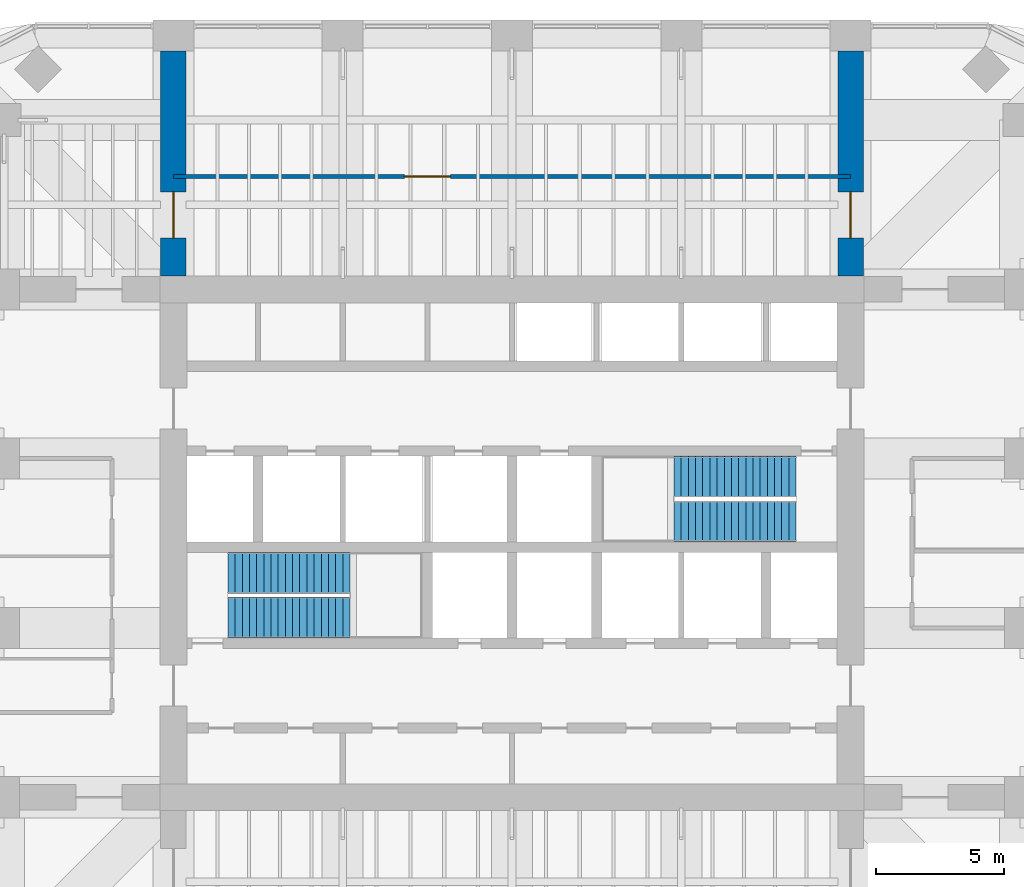
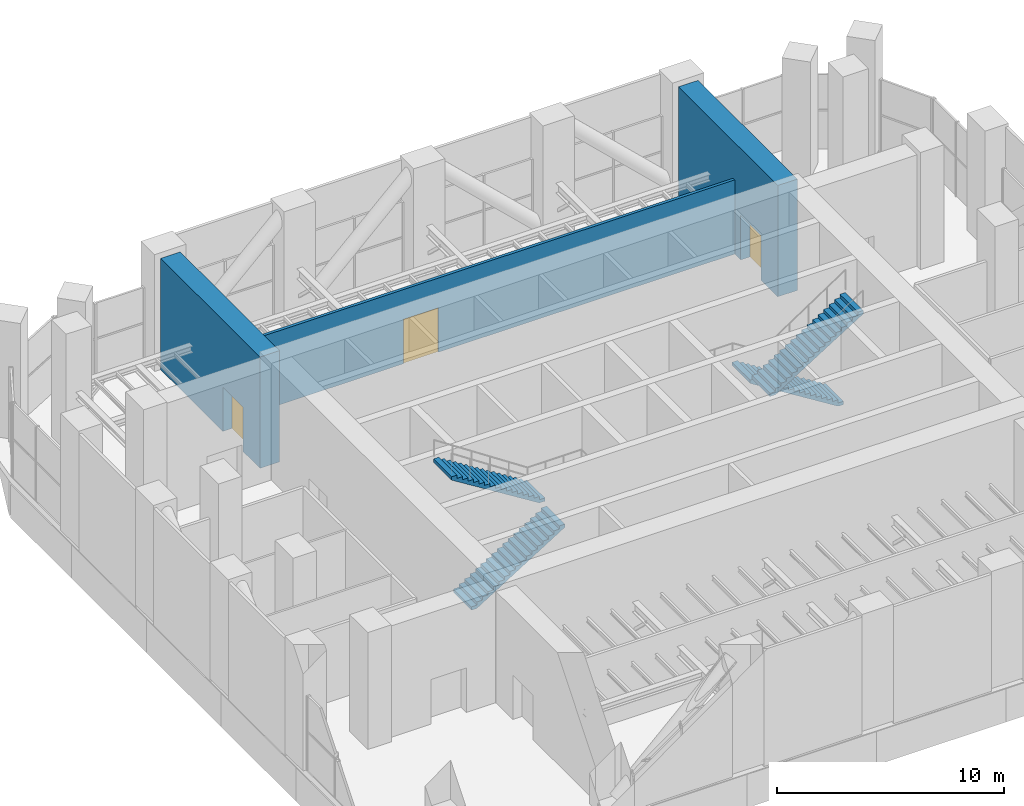
# One storey, part 13 of 15: 4 stair flights, 3 doors, 3 walls, 3 openings, 2 elements without a shape of their own.
"""IFC4 building model written with IfcOpenShell, lengths in metres."""

from ifc_helpers import new_model, si_unit, direction, frame, frame_2d, origin, place, context, subcontext, project, spatial, polyline, rectangle, outline, extrude, material, layer, layer_set, type_object, element, fill, aggregate, save


model = new_model("IFC4")

# Units and contexts
model_context = context("Model", 3, precision=1e-05, world=origin(), true_north=direction((0.0, 1.0)))
body_context = subcontext(model_context, "Body", "Model", "MODEL_VIEW")
ifc_project = project(units=[si_unit("LENGTHUNIT", "METRE"), si_unit("AREAUNIT", "SQUARE_METRE"), si_unit("VOLUMEUNIT", "CUBIC_METRE"), si_unit("PLANEANGLEUNIT", "RADIAN"), si_unit("MASSUNIT", "GRAM", prefix="KILO")], contexts=[model_context])

# Site, building, storey
site_placement = place(None, origin())
site = spatial("IfcSite", under=ifc_project, at=site_placement, CompositionType="ELEMENT")
building_placement = place(site_placement, origin())
building = spatial("IfcBuilding", under=site, at=building_placement, Name="Cobogo Forest Laboratory Tower", CompositionType="ELEMENT")
storey_placement = place(building_placement, frame((0.0, 0.0, 222.89990234375)))
storey = spatial("IfcBuildingStorey", under=building, at=storey_placement, Name="L51", CompositionType="ELEMENT", Elevation=222.89990234375)

# Wall, opening, door
ifc_material_1 = material(Name="Concrete HA-50 (C50/60)", Category="concrete")
ifc_layer_1 = layer(ifc_material_1, 1.0)
ifc_layer_set_1 = layer_set([ifc_layer_1], Name="Outrigger wall 1000")
wall_type_1 = type_object("IfcWallType", Name="Outrigger wall 1000", PredefinedType="SHEAR", material=ifc_layer_set_1)
wall_1_placement = place(storey_placement, frame((13.199951171875, 33.52490234375, 0.0), z_axis=(0.0, 0.0, 1.0), x_axis=(0.0, 1.0, 0.0)))
wall_1 = element("IfcWall", 1, at=wall_1_placement, inside=storey, type_object=wall_type_1, Name="Outrigger wall OR-N3 L51", PredefinedType="SHEAR", context=body_context, shape_type="SweptSolid", body=[
    extrude(rectangle(XDim=8.775146484375, YDim=1.0, at=frame_2d((4.3876953125, 0.0))), origin(), (0.0, 0.0, 1.0), 6.0),
])
opening_1_placement = place(wall_1_placement, frame((1.47509765625, 0.0, 0.0)))
opening_1 = element("IfcOpeningElement", 2, at=opening_1_placement, cuts=wall_1, Name="Opening L51-D29", PredefinedType="OPENING", context=body_context, shape_type="SweptSolid", body=[
    extrude(rectangle(XDim=1.800048828125, YDim=2.39990234375, at=frame_2d((0.89990234375, 1.199951171875))), frame((0.0, 0.510009765625, 0.0), z_axis=(0.0, -1.0, 0.0), x_axis=(1.0, 0.0, 0.0)), (0.0, 0.0, 1.0), 1.02001953125),
])
ifc_material_2 = material(Name="Steel fire door", Category="steel")
door_type = type_object("IfcDoorType", Name="PD1 plant door pair 1800 EI2 60", OperationType="DOUBLE_DOOR_SINGLE_SWING", PredefinedType="DOOR", material=ifc_material_2)
door_1_placement = place(opening_1_placement, origin())
door_1 = element("IfcDoor", 3, at=door_1_placement, inside=storey, type_object=door_type, Name="Door L51-OR-N3", OperationType="DOUBLE_DOOR_SINGLE_SWING", OverallHeight=2.39990234375, OverallWidth=1.800048828125, PredefinedType="DOOR", context=body_context, shape_type="SweptSolid", body=[
    extrude(rectangle(XDim=1.800048828125, YDim=2.39990234375, at=frame_2d((0.89990234375, 1.199951171875))), frame((0.0, 0.02490234375, 0.0), z_axis=(0.0, -1.0, 0.0), x_axis=(1.0, 0.0, 0.0)), (0.0, 0.0, 1.0), 0.050048828125),
])
fill(opening_1, door_1)

wall_2_placement = place(storey_placement, frame((39.60009765625, 33.52490234375, 0.0), z_axis=(0.0, 0.0, 1.0), x_axis=(0.0, 1.0, 0.0)))
wall_2 = element("IfcWall", 4, at=wall_2_placement, inside=storey, type_object=wall_type_1, Name="Outrigger wall OR-N7 L51", PredefinedType="SHEAR", context=body_context, shape_type="SweptSolid", body=[
    extrude(rectangle(XDim=8.775146484375, YDim=1.0, at=frame_2d((4.3876953125, 0.0))), origin(), (0.0, 0.0, 1.0), 6.0),
])
opening_2_placement = place(wall_2_placement, frame((1.47509765625, 0.0, 0.0)))
opening_2 = element("IfcOpeningElement", 5, at=opening_2_placement, cuts=wall_2, Name="Opening L51-D30", PredefinedType="OPENING", context=body_context, shape_type="SweptSolid", body=[
    extrude(rectangle(XDim=1.800048828125, YDim=2.39990234375, at=frame_2d((0.89990234375, 1.199951171875))), frame((0.0, 0.510009765625, 0.0), z_axis=(0.0, -1.0, 0.0), x_axis=(1.0, 0.0, 0.0)), (0.0, 0.0, 1.0), 1.02001953125),
])
door_2_placement = place(opening_2_placement, origin())
door_2 = element("IfcDoor", 6, at=door_2_placement, inside=storey, type_object=door_type, Name="Door L51-OR-N7", OperationType="DOUBLE_DOOR_SINGLE_SWING", OverallHeight=2.39990234375, OverallWidth=1.800048828125, PredefinedType="DOOR", context=body_context, shape_type="SweptSolid", body=[
    extrude(rectangle(XDim=1.800048828125, YDim=2.39990234375, at=frame_2d((0.89990234375, 1.199951171875))), frame((0.0, 0.02490234375, 0.0), z_axis=(0.0, -1.0, 0.0), x_axis=(1.0, 0.0, 0.0)), (0.0, 0.0, 1.0), 0.050048828125),
])
fill(opening_2, door_2)

ifc_material_3 = material(Name="Gypsum board on steel studs", Category="steel")
ifc_layer_2 = layer(ifc_material_3, 0.14990234375)
ifc_layer_set_2 = layer_set([ifc_layer_2], Name="PT1 laboratory partition 150")
wall_type_2 = type_object("IfcWallType", Name="PT1 laboratory partition 150", PredefinedType="PARTITIONING", material=ifc_layer_set_2)
wall_3_placement = place(storey_placement, frame((13.199951171875, 37.39990234375, 0.0), z_axis=(0.0, 0.0, 1.0), x_axis=(1.0, 0.0, 0.0)))
wall_3 = element("IfcWall", 7, at=wall_3_placement, inside=storey, type_object=wall_type_2, Name="Partition PL-N L51", PredefinedType="PARTITIONING", context=body_context, shape_type="SweptSolid", body=[
    extrude(rectangle(XDim=26.400146484375, YDim=0.14990234375, at=frame_2d((13.2001953125, 0.0))), origin(), (0.0, 0.0, 1.0), 4.0),
])
opening_3_placement = place(wall_3_placement, frame((9.0, 0.0, 0.0)))
opening_3 = element("IfcOpeningElement", 8, at=opening_3_placement, cuts=wall_3, Name="Opening L51-D31", PredefinedType="OPENING", context=body_context, shape_type="SweptSolid", body=[
    extrude(rectangle(XDim=1.800048828125, YDim=2.39990234375, at=frame_2d((0.89990234375, 1.199951171875))), frame((0.0, 0.0849609375, 0.0), z_axis=(0.0, -1.0, 0.0), x_axis=(1.0, 0.0, 0.0)), (0.0, 0.0, 1.0), 0.169921875),
])
door_3_placement = place(opening_3_placement, origin())
door_3 = element("IfcDoor", 9, at=door_3_placement, inside=storey, type_object=door_type, Name="Door L51-NI", OperationType="DOUBLE_DOOR_SINGLE_SWING", OverallHeight=2.39990234375, OverallWidth=1.800048828125, PredefinedType="DOOR", context=body_context, shape_type="SweptSolid", body=[
    extrude(rectangle(XDim=1.800048828125, YDim=2.39990234375, at=frame_2d((0.89990234375, 1.199951171875))), frame((0.0, 0.02490234375, 0.0), z_axis=(0.0, -1.0, 0.0), x_axis=(1.0, 0.0, 0.0)), (0.0, 0.0, 1.0), 0.050048828125),
])
fill(opening_3, door_3)

# Stair, stair flights
ifc_material_4 = material(Name="Precast concrete HA-40 (C40/50)", Category="concrete")
stair_type = type_object("IfcStairType", Name="ST36 exit stair 36 risers", PredefinedType="HALF_TURN_STAIR", material=ifc_material_4)
stair_1_placement = place(storey_placement, origin())
stair_1 = element("IfcStair", 10, at=stair_1_placement, inside=storey, type_object=stair_type, Name="Stair 1 L51 to L52", PredefinedType="HALF_TURN_STAIR")
stair_flight_type = type_object("IfcStairFlightType", Name="ST stair flight 280 going", PredefinedType="STRAIGHT", material=ifc_material_4)
stair_flight_1_placement = place(storey_placement, frame((15.324951171875, 20.199951171875, 0.0), z_axis=(0.0, 0.0, 1.0), x_axis=(1.0, 0.0, 0.0)))
stair_flight_1 = element("IfcStairFlight", 11, at=stair_flight_1_placement, type_object=stair_flight_type, Name="ST1 flight 1", NumberOfRisers=18, NumberOfTreads=17, PredefinedType="STRAIGHT", RiserHeight=0.175, TreadLength=0.28, context=body_context, shape_type="SweptSolid", body=[
    extrude(outline(polyline([(0.0, 0.0), (0.0, 0.175048828125), (0.280029296875, 0.175048828125), (0.280029296875, 0.35009765625), (0.56005859375, 0.35009765625), (0.56005859375, 0.52490234375), (0.840087890625, 0.52490234375), (0.840087890625, 0.699951171875), (1.1201171875, 0.699951171875), (1.1201171875, 0.875), (1.39990234375, 0.875), (1.39990234375, 1.050048828125), (1.679931640625, 1.050048828125), (1.679931640625, 1.22509765625), (1.9599609375, 1.22509765625), (1.9599609375, 1.39990234375), (2.239990234375, 1.39990234375), (2.239990234375, 1.574951171875), (2.52001953125, 1.574951171875), (2.52001953125, 1.75), (2.800048828125, 1.75), (2.800048828125, 1.925048828125), (3.080078125, 1.925048828125), (3.080078125, 2.10009765625), (3.360107421875, 2.10009765625), (3.360107421875, 2.27490234375), (3.639892578125, 2.27490234375), (3.639892578125, 2.449951171875), (3.919921875, 2.449951171875), (3.919921875, 2.625), (4.199951171875, 2.625), (4.199951171875, 2.800048828125), (4.47998046875, 2.800048828125), (4.47998046875, 2.97509765625), (4.760009765625, 2.97509765625), (4.760009765625, 3.14990234375), (4.760009765625, 2.79833984375), (0.28271484375, 0.0), (0.0, 0.0)])), frame((0.0, 0.800048828125, 0.0), z_axis=(0.0, -1.0, 0.0), x_axis=(1.0, 0.0, 0.0)), (0.0, 0.0, 1.0), 1.60009765625),
])
stair_flight_2_placement = place(storey_placement, frame((20.0849609375, 21.949951171875, 3.150146484375), z_axis=(0.0, 0.0, 1.0), x_axis=(-1.0, 0.0, 0.0)))
stair_flight_2 = element("IfcStairFlight", 12, at=stair_flight_2_placement, type_object=stair_flight_type, Name="ST1 flight 2", NumberOfRisers=18, NumberOfTreads=17, PredefinedType="STRAIGHT", RiserHeight=0.175, TreadLength=0.28, context=body_context, shape_type="SweptSolid", body=[
    extrude(outline(polyline([(0.0, 0.0), (0.0, 0.175048828125), (0.280029296875, 0.175048828125), (0.280029296875, 0.35009765625), (0.56005859375, 0.35009765625), (0.56005859375, 0.52490234375), (0.840087890625, 0.52490234375), (0.840087890625, 0.699951171875), (1.1201171875, 0.699951171875), (1.1201171875, 0.875), (1.39990234375, 0.875), (1.39990234375, 1.050048828125), (1.679931640625, 1.050048828125), (1.679931640625, 1.22509765625), (1.9599609375, 1.22509765625), (1.9599609375, 1.39990234375), (2.239990234375, 1.39990234375), (2.239990234375, 1.574951171875), (2.52001953125, 1.574951171875), (2.52001953125, 1.75), (2.800048828125, 1.75), (2.800048828125, 1.925048828125), (3.080078125, 1.925048828125), (3.080078125, 2.10009765625), (3.360107421875, 2.10009765625), (3.360107421875, 2.27490234375), (3.639892578125, 2.27490234375), (3.639892578125, 2.449951171875), (3.919921875, 2.449951171875), (3.919921875, 2.625), (4.199951171875, 2.625), (4.199951171875, 2.800048828125), (4.47998046875, 2.800048828125), (4.47998046875, 2.97509765625), (4.760009765625, 2.97509765625), (4.760009765625, 3.14990234375), (4.760009765625, 2.79833984375), (0.28271484375, 0.0), (0.0, 0.0)])), frame((0.0, 0.800048828125, 0.0), z_axis=(0.0, -1.0, 0.0), x_axis=(1.0, 0.0, 0.0)), (0.0, 0.0, 1.0), 1.60009765625),
])
aggregate(stair_1, [stair_flight_1, stair_flight_2])

stair_2_placement = place(storey_placement, origin())
stair_2 = element("IfcStair", 13, at=stair_2_placement, inside=storey, type_object=stair_type, Name="Stair 2 L51 to L52", PredefinedType="HALF_TURN_STAIR")
stair_flight_3_placement = place(storey_placement, frame((37.47509765625, 25.699951171875, 0.0), z_axis=(0.0, 0.0, 1.0), x_axis=(-1.0, 0.0, 0.0)))
stair_flight_3 = element("IfcStairFlight", 14, at=stair_flight_3_placement, type_object=stair_flight_type, Name="ST2 flight 1", NumberOfRisers=18, NumberOfTreads=17, PredefinedType="STRAIGHT", RiserHeight=0.175, TreadLength=0.28, context=body_context, shape_type="SweptSolid", body=[
    extrude(outline(polyline([(0.0, 0.0), (0.0, 0.175048828125), (0.280029296875, 0.175048828125), (0.280029296875, 0.35009765625), (0.56005859375, 0.35009765625), (0.56005859375, 0.52490234375), (0.840087890625, 0.52490234375), (0.840087890625, 0.699951171875), (1.1201171875, 0.699951171875), (1.1201171875, 0.875), (1.39990234375, 0.875), (1.39990234375, 1.050048828125), (1.679931640625, 1.050048828125), (1.679931640625, 1.22509765625), (1.9599609375, 1.22509765625), (1.9599609375, 1.39990234375), (2.239990234375, 1.39990234375), (2.239990234375, 1.574951171875), (2.52001953125, 1.574951171875), (2.52001953125, 1.75), (2.800048828125, 1.75), (2.800048828125, 1.925048828125), (3.080078125, 1.925048828125), (3.080078125, 2.10009765625), (3.360107421875, 2.10009765625), (3.360107421875, 2.27490234375), (3.639892578125, 2.27490234375), (3.639892578125, 2.449951171875), (3.919921875, 2.449951171875), (3.919921875, 2.625), (4.199951171875, 2.625), (4.199951171875, 2.800048828125), (4.47998046875, 2.800048828125), (4.47998046875, 2.97509765625), (4.760009765625, 2.97509765625), (4.760009765625, 3.14990234375), (4.760009765625, 2.79833984375), (0.28271484375, 0.0), (0.0, 0.0)])), frame((0.0, 0.800048828125, 0.0), z_axis=(0.0, -1.0, 0.0), x_axis=(1.0, 0.0, 0.0)), (0.0, 0.0, 1.0), 1.60009765625),
])
stair_flight_4_placement = place(storey_placement, frame((32.715087890625, 23.949951171875, 3.150146484375), z_axis=(0.0, 0.0, 1.0), x_axis=(1.0, 0.0, 0.0)))
stair_flight_4 = element("IfcStairFlight", 15, at=stair_flight_4_placement, type_object=stair_flight_type, Name="ST2 flight 2", NumberOfRisers=18, NumberOfTreads=17, PredefinedType="STRAIGHT", RiserHeight=0.175, TreadLength=0.28, context=body_context, shape_type="SweptSolid", body=[
    extrude(outline(polyline([(0.0, 0.0), (0.0, 0.175048828125), (0.280029296875, 0.175048828125), (0.280029296875, 0.35009765625), (0.56005859375, 0.35009765625), (0.56005859375, 0.52490234375), (0.840087890625, 0.52490234375), (0.840087890625, 0.699951171875), (1.1201171875, 0.699951171875), (1.1201171875, 0.875), (1.39990234375, 0.875), (1.39990234375, 1.050048828125), (1.679931640625, 1.050048828125), (1.679931640625, 1.22509765625), (1.9599609375, 1.22509765625), (1.9599609375, 1.39990234375), (2.239990234375, 1.39990234375), (2.239990234375, 1.574951171875), (2.52001953125, 1.574951171875), (2.52001953125, 1.75), (2.800048828125, 1.75), (2.800048828125, 1.925048828125), (3.080078125, 1.925048828125), (3.080078125, 2.10009765625), (3.360107421875, 2.10009765625), (3.360107421875, 2.27490234375), (3.639892578125, 2.27490234375), (3.639892578125, 2.449951171875), (3.919921875, 2.449951171875), (3.919921875, 2.625), (4.199951171875, 2.625), (4.199951171875, 2.800048828125), (4.47998046875, 2.800048828125), (4.47998046875, 2.97509765625), (4.760009765625, 2.97509765625), (4.760009765625, 3.14990234375), (4.760009765625, 2.79833984375), (0.28271484375, 0.0), (0.0, 0.0)])), frame((0.0, 0.800048828125, 0.0), z_axis=(0.0, -1.0, 0.0), x_axis=(1.0, 0.0, 0.0)), (0.0, 0.0, 1.0), 1.60009765625),
])
aggregate(stair_2, [stair_flight_3, stair_flight_4])

save(model, "model.ifc")
